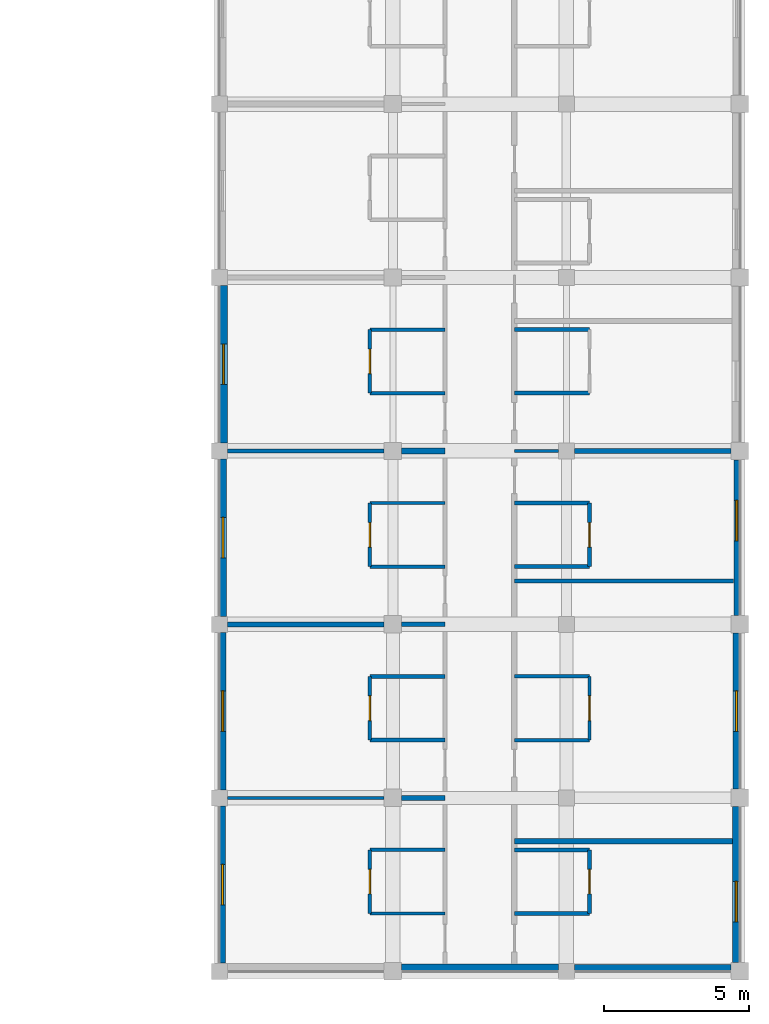
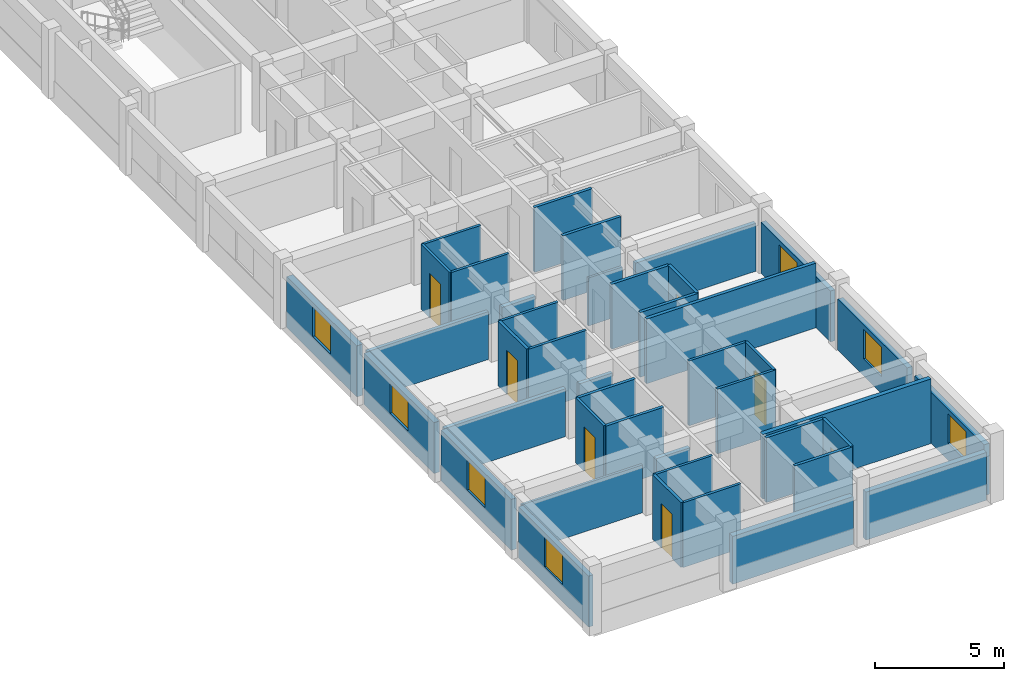
# One storey, part 4 of 21: 42 walls, 7 doors, 7 windows, 14 openings.
"""IFC4 building model written with IfcOpenShell, lengths in metres."""

from ifc_helpers import new_model, si_unit, direction, frame, frame_2d, origin, place, context, subcontext, project, spatial, rectangle, extrude, material, layer, layer_set, type_object, element, fill, save


model = new_model("IFC4")

# Units and contexts
model_context = context("Model", 3, precision=1e-05, world=origin(), true_north=direction((0.0, 1.0)))
body_context = subcontext(model_context, "Body", "Model", "MODEL_VIEW")
ifc_project = project(units=[si_unit("LENGTHUNIT", "METRE"), si_unit("AREAUNIT", "SQUARE_METRE"), si_unit("VOLUMEUNIT", "CUBIC_METRE"), si_unit("PLANEANGLEUNIT", "RADIAN"), si_unit("MASSUNIT", "GRAM", prefix="KILO"), si_unit("THERMODYNAMICTEMPERATUREUNIT", "KELVIN"), si_unit("POWERUNIT", "WATT")], contexts=[model_context])

# Site, building, storey
site_placement = place(None, origin())
site = spatial("IfcSite", under=ifc_project, at=site_placement, CompositionType="ELEMENT")
building_placement = place(site_placement, origin())
building = spatial("IfcBuilding", under=site, at=building_placement, Name="Phaisarnlok Congress Hotel", CompositionType="ELEMENT")
storey_placement = place(building_placement, frame((0.0, 0.0, 31.5)))
storey = spatial("IfcBuildingStorey", under=building, at=storey_placement, Name="L07", CompositionType="ELEMENT", Elevation=31.5)

# Wall, opening, window
ifc_material_1 = material(Name="Concrete C40/50", Category="concrete")
ifc_layer_1 = layer(ifc_material_1, 0.2099609375, Name="Concrete C40/50")
ifc_layer_set_1 = layer_set([ifc_layer_1], Name="Concrete C40/50")
wall_type_1 = type_object("IfcWallType", Name="WL-EXT-210", PredefinedType="SOLIDWALL", material=ifc_layer_set_1)
wall_1_placement = place(storey_placement, frame((179.89501953125, 54.304931640625, 0.0), z_axis=(0.0, 0.0, 1.0), x_axis=(0.0, 1.0, 0.0)))
wall_1 = element("IfcWall", 1, at=wall_1_placement, inside=storey, type_object=wall_type_1, Name="Exterior wall EW-07 (L07)", PredefinedType="SOLIDWALL", context=body_context, shape_type="SweptSolid", body=[
    extrude(rectangle(XDim=5.39013671875, YDim=0.2099609375, at=frame_2d((2.695068359375, 0.0))), origin(), (0.0, 0.0, 1.0), 2.419921875),
])
opening_1_placement = place(wall_1_placement, frame((2.5830078125, 0.0, 0.800048828125)))
opening_1 = element("IfcOpeningElement", 2, at=opening_1_placement, cuts=wall_1, Name="Opening W-13", PredefinedType="OPENING", context=body_context, shape_type="SweptSolid", body=[
    extrude(rectangle(XDim=1.39990234375, YDim=1.39990234375, at=frame_2d((0.699951171875, 0.699951171875))), frame((0.0, 0.114990234375, 0.0), z_axis=(0.0, -1.0, 0.0), x_axis=(1.0, 0.0, 0.0)), (0.0, 0.0, 1.0), 0.22998046875),
])
ifc_material_2 = material(Name="Thermally Broken Aluminium & Low-E Double Glazing", Category="aluminium")
window_type = type_object("IfcWindowType", Name="WIN-POD-1400", PartitioningType="SINGLE_PANEL", PredefinedType="WINDOW", material=ifc_material_2)
window_1_placement = place(opening_1_placement, origin())
window_1 = element("IfcWindow", 3, at=window_1_placement, inside=storey, type_object=window_type, Name="Guestroom window W-13 (L07)", OverallHeight=1.39990234375, OverallWidth=1.39990234375, PartitioningType="SINGLE_PANEL", PredefinedType="WINDOW", context=body_context, shape_type="SweptSolid", body=[
    extrude(rectangle(XDim=1.39990234375, YDim=1.39990234375, at=frame_2d((0.699951171875, 0.699951171875))), frame((0.0, 0.030029296875, 0.0), z_axis=(0.0, -1.0, 0.0), x_axis=(1.0, 0.0, 0.0)), (0.0, 0.0, 1.0), 0.06005859375),
])
fill(opening_1, window_1)

wall_2_placement = place(storey_placement, frame((162.10498046875, 47.719970703125, 0.0), z_axis=(0.0, 0.0, 1.0), x_axis=(0.0, -1.0, 0.0)))
wall_2 = element("IfcWall", 4, at=wall_2_placement, inside=storey, type_object=wall_type_1, Name="Exterior wall EW-07 (L07)", PredefinedType="SOLIDWALL", context=body_context, shape_type="SweptSolid", body=[
    extrude(rectangle(XDim=5.43994140625, YDim=0.2099609375, at=frame_2d((2.719970703125, 0.0))), origin(), (0.0, 0.0, 1.0), 2.419921875),
])
opening_2_placement = place(wall_2_placement, frame((2.02001953125, 0.0, 0.800048828125)))
opening_2 = element("IfcOpeningElement", 5, at=opening_2_placement, cuts=wall_2, Name="Opening W-13", PredefinedType="OPENING", context=body_context, shape_type="SweptSolid", body=[
    extrude(rectangle(XDim=1.39990234375, YDim=1.39990234375, at=frame_2d((0.699951171875, 0.699951171875))), frame((0.0, 0.114990234375, 0.0), z_axis=(0.0, -1.0, 0.0), x_axis=(1.0, 0.0, 0.0)), (0.0, 0.0, 1.0), 0.22998046875),
])
window_2_placement = place(opening_2_placement, origin())
window_2 = element("IfcWindow", 6, at=window_2_placement, inside=storey, type_object=window_type, Name="Guestroom window W-13 (L07)", OverallHeight=1.39990234375, OverallWidth=1.39990234375, PartitioningType="SINGLE_PANEL", PredefinedType="WINDOW", context=body_context, shape_type="SweptSolid", body=[
    extrude(rectangle(XDim=1.39990234375, YDim=1.39990234375, at=frame_2d((0.699951171875, 0.699951171875))), frame((0.0, 0.030029296875, 0.0), z_axis=(0.0, -1.0, 0.0), x_axis=(1.0, 0.0, 0.0)), (0.0, 0.0, 1.0), 0.06005859375),
])
fill(opening_2, window_2)

ifc_layer_2 = layer(ifc_material_1, 0.22998046875, Name="Concrete C40/50")
ifc_layer_set_2 = layer_set([ifc_layer_2], Name="Concrete C40/50")
wall_type_2 = type_object("IfcWallType", Name="WL-EXT-230", PredefinedType="SOLIDWALL", material=ifc_layer_set_2)
wall_3_placement = place(storey_placement, frame((179.885009765625, 48.304931640625, 0.0), z_axis=(0.0, 0.0, 1.0), x_axis=(0.0, 1.0, 0.0)))
wall_3 = element("IfcWall", 7, at=wall_3_placement, inside=storey, type_object=wall_type_2, Name="Exterior wall EW-06 (L07)", PredefinedType="SOLIDWALL", context=body_context, shape_type="SweptSolid", body=[
    extrude(rectangle(XDim=5.39013671875, YDim=0.22998046875, at=frame_2d((2.695068359375, 0.0))), origin(), (0.0, 0.0, 1.0), 2.419921875),
])
opening_3_placement = place(wall_3_placement, frame((1.9951171875, 0.0, 0.800048828125)))
opening_3 = element("IfcOpeningElement", 8, at=opening_3_placement, cuts=wall_3, Name="Opening W-13", PredefinedType="OPENING", context=body_context, shape_type="SweptSolid", body=[
    extrude(rectangle(XDim=1.39990234375, YDim=1.39990234375, at=frame_2d((0.699951171875, 0.699951171875))), frame((0.0, 0.125, 0.0), z_axis=(0.0, -1.0, 0.0), x_axis=(1.0, 0.0, 0.0)), (0.0, 0.0, 1.0), 0.25),
])
window_3_placement = place(opening_3_placement, origin())
window_3 = element("IfcWindow", 9, at=window_3_placement, inside=storey, type_object=window_type, Name="Guestroom window W-13 (L07)", OverallHeight=1.39990234375, OverallWidth=1.39990234375, PartitioningType="SINGLE_PANEL", PredefinedType="WINDOW", context=body_context, shape_type="SweptSolid", body=[
    extrude(rectangle(XDim=1.39990234375, YDim=1.39990234375, at=frame_2d((0.699951171875, 0.699951171875))), frame((0.0, 0.030029296875, 0.0), z_axis=(0.0, -1.0, 0.0), x_axis=(1.0, 0.0, 0.0)), (0.0, 0.0, 1.0), 0.06005859375),
])
fill(opening_3, window_3)

wall_4_placement = place(storey_placement, frame((162.114990234375, 53.719970703125, 0.0), z_axis=(0.0, 0.0, 1.0), x_axis=(0.0, -1.0, 0.0)))
wall_4 = element("IfcWall", 10, at=wall_4_placement, inside=storey, type_object=wall_type_2, Name="Exterior wall EW-06 (L07)", PredefinedType="SOLIDWALL", context=body_context, shape_type="SweptSolid", body=[
    extrude(rectangle(XDim=5.43994140625, YDim=0.22998046875, at=frame_2d((2.719970703125, 0.0))), origin(), (0.0, 0.0, 1.0), 2.419921875),
])
opening_4_placement = place(wall_4_placement, frame((2.02001953125, 0.0, 0.800048828125)))
opening_4 = element("IfcOpeningElement", 11, at=opening_4_placement, cuts=wall_4, Name="Opening W-13", PredefinedType="OPENING", context=body_context, shape_type="SweptSolid", body=[
    extrude(rectangle(XDim=1.39990234375, YDim=1.39990234375, at=frame_2d((0.699951171875, 0.699951171875))), frame((0.0, 0.125, 0.0), z_axis=(0.0, -1.0, 0.0), x_axis=(1.0, 0.0, 0.0)), (0.0, 0.0, 1.0), 0.25),
])
window_4_placement = place(opening_4_placement, origin())
window_4 = element("IfcWindow", 12, at=window_4_placement, inside=storey, type_object=window_type, Name="Guestroom window W-13 (L07)", OverallHeight=1.39990234375, OverallWidth=1.39990234375, PartitioningType="SINGLE_PANEL", PredefinedType="WINDOW", context=body_context, shape_type="SweptSolid", body=[
    extrude(rectangle(XDim=1.39990234375, YDim=1.39990234375, at=frame_2d((0.699951171875, 0.699951171875))), frame((0.0, 0.030029296875, 0.0), z_axis=(0.0, -1.0, 0.0), x_axis=(1.0, 0.0, 0.0)), (0.0, 0.0, 1.0), 0.06005859375),
])
fill(opening_4, window_4)

# Wall
wall_5_placement = place(storey_placement, frame((174.280029296875, 42.114990234375, 0.0), z_axis=(0.0, 0.0, 1.0), x_axis=(1.0, 0.0, 0.0)))
element("IfcWall", 13, at=wall_5_placement, inside=storey, type_object=wall_type_2, Name="Exterior wall EW-06 (L07)", PredefinedType="SOLIDWALL", context=body_context, shape_type="SweptSolid", body=[
    extrude(rectangle(XDim=5.4150390625, YDim=0.22998046875, at=frame_2d((2.70751953125, 0.0))), origin(), (0.0, 0.0, 1.0), 2.27001953125),
])

# Wall, opening, window
ifc_layer_3 = layer(ifc_material_1, 0.25, Name="Concrete C40/50")
ifc_layer_set_3 = layer_set([ifc_layer_3], Name="Concrete C40/50")
wall_type_3 = type_object("IfcWallType", Name="WL-EXT-250", PredefinedType="SOLIDWALL", material=ifc_layer_set_3)
wall_6_placement = place(storey_placement, frame((179.875, 42.304931640625, 0.0), z_axis=(0.0, 0.0, 1.0), x_axis=(0.0, 1.0, 0.0)))
wall_6 = element("IfcWall", 14, at=wall_6_placement, inside=storey, type_object=wall_type_3, Name="Exterior wall EW-05 (L07)", PredefinedType="SOLIDWALL", context=body_context, shape_type="SweptSolid", body=[
    extrude(rectangle(XDim=5.39013671875, YDim=0.25, at=frame_2d((2.695068359375, 0.0))), origin(), (0.0, 0.0, 1.0), 2.419921875),
])
opening_5_placement = place(wall_6_placement, frame((1.406982421875, 0.0, 0.800048828125)))
opening_5 = element("IfcOpeningElement", 15, at=opening_5_placement, cuts=wall_6, Name="Opening W-13", PredefinedType="OPENING", context=body_context, shape_type="SweptSolid", body=[
    extrude(rectangle(XDim=1.39990234375, YDim=1.39990234375, at=frame_2d((0.699951171875, 0.699951171875))), frame((0.0, 0.135009765625, 0.0), z_axis=(0.0, -1.0, 0.0), x_axis=(1.0, 0.0, 0.0)), (0.0, 0.0, 1.0), 0.27001953125),
])
window_5_placement = place(opening_5_placement, origin())
window_5 = element("IfcWindow", 16, at=window_5_placement, inside=storey, type_object=window_type, Name="Guestroom window W-13 (L07)", OverallHeight=1.39990234375, OverallWidth=1.39990234375, PartitioningType="SINGLE_PANEL", PredefinedType="WINDOW", context=body_context, shape_type="SweptSolid", body=[
    extrude(rectangle(XDim=1.39990234375, YDim=1.39990234375, at=frame_2d((0.699951171875, 0.699951171875))), frame((0.0, 0.030029296875, 0.0), z_axis=(0.0, -1.0, 0.0), x_axis=(1.0, 0.0, 0.0)), (0.0, 0.0, 1.0), 0.06005859375),
])
fill(opening_5, window_5)

wall_7_placement = place(storey_placement, frame((162.125, 59.719970703125, 0.0), z_axis=(0.0, 0.0, 1.0), x_axis=(0.0, -1.0, 0.0)))
wall_7 = element("IfcWall", 17, at=wall_7_placement, inside=storey, type_object=wall_type_3, Name="Exterior wall EW-05 (L07)", PredefinedType="SOLIDWALL", context=body_context, shape_type="SweptSolid", body=[
    extrude(rectangle(XDim=5.43994140625, YDim=0.25, at=frame_2d((2.719970703125, 0.0))), origin(), (0.0, 0.0, 1.0), 2.419921875),
])
opening_6_placement = place(wall_7_placement, frame((2.02001953125, 0.0, 0.800048828125)))
opening_6 = element("IfcOpeningElement", 18, at=opening_6_placement, cuts=wall_7, Name="Opening W-13", PredefinedType="OPENING", context=body_context, shape_type="SweptSolid", body=[
    extrude(rectangle(XDim=1.39990234375, YDim=1.39990234375, at=frame_2d((0.699951171875, 0.699951171875))), frame((0.0, 0.135009765625, 0.0), z_axis=(0.0, -1.0, 0.0), x_axis=(1.0, 0.0, 0.0)), (0.0, 0.0, 1.0), 0.27001953125),
])
window_6_placement = place(opening_6_placement, origin())
window_6 = element("IfcWindow", 19, at=window_6_placement, inside=storey, type_object=window_type, Name="Guestroom window W-13 (L07)", OverallHeight=1.39990234375, OverallWidth=1.39990234375, PartitioningType="SINGLE_PANEL", PredefinedType="WINDOW", context=body_context, shape_type="SweptSolid", body=[
    extrude(rectangle(XDim=1.39990234375, YDim=1.39990234375, at=frame_2d((0.699951171875, 0.699951171875))), frame((0.0, 0.030029296875, 0.0), z_axis=(0.0, -1.0, 0.0), x_axis=(1.0, 0.0, 0.0)), (0.0, 0.0, 1.0), 0.06005859375),
])
fill(opening_6, window_6)

# Wall
wall_8_placement = place(storey_placement, frame((168.304931640625, 42.125, 0.0), z_axis=(0.0, 0.0, 1.0), x_axis=(1.0, 0.0, 0.0)))
element("IfcWall", 20, at=wall_8_placement, inside=storey, type_object=wall_type_3, Name="Exterior wall EW-05 (L07)", PredefinedType="SOLIDWALL", context=body_context, shape_type="SweptSolid", body=[
    extrude(rectangle(XDim=5.4150390625, YDim=0.25, at=frame_2d((2.70751953125, 0.0))), origin(), (0.0, 0.0, 1.0), 2.27001953125),
])

# Wall, opening, window
ifc_layer_4 = layer(ifc_material_1, 0.27001953125, Name="Concrete C40/50")
ifc_layer_set_4 = layer_set([ifc_layer_4], Name="Concrete C40/50")
wall_type_4 = type_object("IfcWallType", Name="WL-EXT-270", PredefinedType="SOLIDWALL", material=ifc_layer_set_4)
wall_9_placement = place(storey_placement, frame((162.135009765625, 65.719970703125, 0.0), z_axis=(0.0, 0.0, 1.0), x_axis=(0.0, -1.0, 0.0)))
wall_9 = element("IfcWall", 21, at=wall_9_placement, inside=storey, type_object=wall_type_4, Name="Exterior wall EW-04 (L07)", PredefinedType="SOLIDWALL", context=body_context, shape_type="SweptSolid", body=[
    extrude(rectangle(XDim=5.43994140625, YDim=0.27001953125, at=frame_2d((2.719970703125, 0.0))), origin(), (0.0, 0.0, 1.0), 2.419921875),
])
opening_7_placement = place(wall_9_placement, frame((2.02001953125, 0.0, 0.800048828125)))
opening_7 = element("IfcOpeningElement", 22, at=opening_7_placement, cuts=wall_9, Name="Opening W-13", PredefinedType="OPENING", context=body_context, shape_type="SweptSolid", body=[
    extrude(rectangle(XDim=1.39990234375, YDim=1.39990234375, at=frame_2d((0.699951171875, 0.699951171875))), frame((0.0, 0.14501953125, 0.0), z_axis=(0.0, -1.0, 0.0), x_axis=(1.0, 0.0, 0.0)), (0.0, 0.0, 1.0), 0.2900390625),
])
window_7_placement = place(opening_7_placement, origin())
window_7 = element("IfcWindow", 23, at=window_7_placement, inside=storey, type_object=window_type, Name="Guestroom window W-13 (L07)", OverallHeight=1.39990234375, OverallWidth=1.39990234375, PartitioningType="SINGLE_PANEL", PredefinedType="WINDOW", context=body_context, shape_type="SweptSolid", body=[
    extrude(rectangle(XDim=1.39990234375, YDim=1.39990234375, at=frame_2d((0.699951171875, 0.699951171875))), frame((0.0, 0.030029296875, 0.0), z_axis=(0.0, -1.0, 0.0), x_axis=(1.0, 0.0, 0.0)), (0.0, 0.0, 1.0), 0.06005859375),
])
fill(opening_7, window_7)

# Walls
ifc_material_3 = material(Name="Service Riser Shaftwall Partition", Category="gypsum")
ifc_layer_5 = layer(ifc_material_3, 0.10498046875, Name="Service Riser Shaftwall Partition")
ifc_layer_set_5 = layer_set([ifc_layer_5], Name="Service Riser Shaftwall Partition")
wall_type_5 = type_object("IfcWallType", Name="WL-INT-105", PredefinedType="PARTITIONING", material=ifc_layer_set_5)
wall_10_placement = place(storey_placement, frame((162.280029296875, 48.0, 0.0), z_axis=(0.0, 0.0, 1.0), x_axis=(1.0, 0.0, 0.0)))
element("IfcWall", 24, at=wall_10_placement, inside=storey, type_object=wall_type_5, Name="Interior partition wall IW-08 (L07)", PredefinedType="PARTITIONING", context=body_context, shape_type="SweptSolid", body=[
    extrude(rectangle(XDim=5.4150390625, YDim=0.10498046875, at=frame_2d((2.70751953125, 0.0))), origin(), (0.0, 0.0, 1.0), 2.27001953125),
])
wall_11_placement = place(storey_placement, frame((172.199951171875, 60.0, 0.0), z_axis=(0.0, 0.0, 1.0), x_axis=(1.0, 0.0, 0.0)))
element("IfcWall", 25, at=wall_11_placement, inside=storey, type_object=wall_type_5, Name="Interior partition wall IW-08 (L07)", PredefinedType="PARTITIONING", context=body_context, shape_type="SweptSolid", body=[
    extrude(rectangle(XDim=1.52001953125, YDim=0.10498046875, at=frame_2d((0.760009765625, 0.0))), origin(), (0.0, 0.0, 1.0), 2.27001953125),
])

# Wall, opening, door
ifc_material_4 = material(Name="Lightweight Metal-Stud Gypsum Partition", Category="gypsum")
ifc_layer_6 = layer(ifc_material_4, 0.1201171875, Name="Lightweight Metal-Stud Gypsum Partition")
ifc_layer_set_6 = layer_set([ifc_layer_6], Name="Lightweight Metal-Stud Gypsum Partition")
wall_type_6 = type_object("IfcWallType", Name="WL-INT-120", PredefinedType="PARTITIONING", material=ifc_layer_set_6)
wall_12_placement = place(storey_placement, frame((167.199951171875, 50.0, 0.0), z_axis=(0.0, 0.0, 1.0), x_axis=(0.0, 1.0, 0.0)))
wall_12 = element("IfcWall", 26, at=wall_12_placement, inside=storey, type_object=wall_type_6, Name="Interior partition wall IW-07 (L07)", PredefinedType="PARTITIONING", context=body_context, shape_type="SweptSolid", body=[
    extrude(rectangle(XDim=2.199951171875, YDim=0.1201171875, at=frame_2d((1.10009765625, 0.0))), origin(), (0.0, 0.0, 1.0), 3.070068359375),
])
opening_8_placement = place(wall_12_placement, frame((0.675048828125, 0.0, 0.0)))
opening_8 = element("IfcOpeningElement", 27, at=opening_8_placement, cuts=wall_12, Name="Opening D-0384", PredefinedType="OPENING", context=body_context, shape_type="SweptSolid", body=[
    extrude(rectangle(XDim=0.85009765625, YDim=2.10009765625, at=frame_2d((0.425048828125, 1.050048828125))), frame((0.0, 0.070068359375, 0.0), z_axis=(0.0, -1.0, 0.0), x_axis=(1.0, 0.0, 0.0)), (0.0, 0.0, 1.0), 0.14013671875),
])
ifc_material_5 = material(Name="Moisture-Resistant Lacquered Timber", Category="wood")
door_type = type_object("IfcDoorType", Name="DR-BATH-850", OperationType="NOTDEFINED", PredefinedType="DOOR", material=ifc_material_5)
door_1_placement = place(opening_8_placement, origin())
door_1 = element("IfcDoor", 28, at=door_1_placement, inside=storey, type_object=door_type, Name="Interior door D-0384 (L07)", OperationType="SINGLE_SWING_RIGHT", OverallHeight=2.10009765625, OverallWidth=0.85009765625, PredefinedType="DOOR", context=body_context, shape_type="SweptSolid", body=[
    extrude(rectangle(XDim=0.85009765625, YDim=2.10009765625, at=frame_2d((0.425048828125, 1.050048828125))), frame((0.0, 0.02490234375, 0.0), z_axis=(0.0, -1.0, 0.0), x_axis=(1.0, 0.0, 0.0)), (0.0, 0.0, 1.0), 0.050048828125),
])
fill(opening_8, door_1)

wall_13_placement = place(storey_placement, frame((167.199951171875, 62.0, 0.0), z_axis=(0.0, 0.0, 1.0), x_axis=(0.0, 1.0, 0.0)))
wall_13 = element("IfcWall", 29, at=wall_13_placement, inside=storey, type_object=wall_type_6, Name="Interior partition wall IW-07 (L07)", PredefinedType="PARTITIONING", context=body_context, shape_type="SweptSolid", body=[
    extrude(rectangle(XDim=2.199951171875, YDim=0.1201171875, at=frame_2d((1.10009765625, 0.0))), origin(), (0.0, 0.0, 1.0), 3.070068359375),
])
opening_9_placement = place(wall_13_placement, frame((0.675048828125, 0.0, 0.0)))
opening_9 = element("IfcOpeningElement", 30, at=opening_9_placement, cuts=wall_13, Name="Opening D-0388", PredefinedType="OPENING", context=body_context, shape_type="SweptSolid", body=[
    extrude(rectangle(XDim=0.85009765625, YDim=2.10009765625, at=frame_2d((0.425048828125, 1.050048828125))), frame((0.0, 0.070068359375, 0.0), z_axis=(0.0, -1.0, 0.0), x_axis=(1.0, 0.0, 0.0)), (0.0, 0.0, 1.0), 0.14013671875),
])
door_2_placement = place(opening_9_placement, origin())
door_2 = element("IfcDoor", 31, at=door_2_placement, inside=storey, type_object=door_type, Name="Interior door D-0388 (L07)", OperationType="SINGLE_SWING_RIGHT", OverallHeight=2.10009765625, OverallWidth=0.85009765625, PredefinedType="DOOR", context=body_context, shape_type="SweptSolid", body=[
    extrude(rectangle(XDim=0.85009765625, YDim=2.10009765625, at=frame_2d((0.425048828125, 1.050048828125))), frame((0.0, 0.02490234375, 0.0), z_axis=(0.0, -1.0, 0.0), x_axis=(1.0, 0.0, 0.0)), (0.0, 0.0, 1.0), 0.050048828125),
])
fill(opening_9, door_2)

wall_14_placement = place(storey_placement, frame((174.800048828125, 50.0, 0.0), z_axis=(0.0, 0.0, 1.0), x_axis=(0.0, 1.0, 0.0)))
wall_14 = element("IfcWall", 32, at=wall_14_placement, inside=storey, type_object=wall_type_6, Name="Interior partition wall IW-07 (L07)", PredefinedType="PARTITIONING", context=body_context, shape_type="SweptSolid", body=[
    extrude(rectangle(XDim=2.199951171875, YDim=0.1201171875, at=frame_2d((1.10009765625, 0.0))), origin(), (0.0, 0.0, 1.0), 3.070068359375),
])
opening_10_placement = place(wall_14_placement, frame((0.675048828125, 0.0, 0.0)))
opening_10 = element("IfcOpeningElement", 33, at=opening_10_placement, cuts=wall_14, Name="Opening D-0361", PredefinedType="OPENING", context=body_context, shape_type="SweptSolid", body=[
    extrude(rectangle(XDim=0.85009765625, YDim=2.10009765625, at=frame_2d((0.425048828125, 1.050048828125))), frame((0.0, 0.070068359375, 0.0), z_axis=(0.0, -1.0, 0.0), x_axis=(1.0, 0.0, 0.0)), (0.0, 0.0, 1.0), 0.14013671875),
])
door_3_placement = place(opening_10_placement, origin())
door_3 = element("IfcDoor", 34, at=door_3_placement, inside=storey, type_object=door_type, Name="Interior door D-0361 (L07)", OperationType="SINGLE_SWING_LEFT", OverallHeight=2.10009765625, OverallWidth=0.85009765625, PredefinedType="DOOR", context=body_context, shape_type="SweptSolid", body=[
    extrude(rectangle(XDim=0.85009765625, YDim=2.10009765625, at=frame_2d((0.425048828125, 1.050048828125))), frame((0.0, 0.02490234375, 0.0), z_axis=(0.0, -1.0, 0.0), x_axis=(1.0, 0.0, 0.0)), (0.0, 0.0, 1.0), 0.050048828125),
])
fill(opening_10, door_3)

# Walls
for number, where, z_axis, x_axis, name in (
    (35, (167.199951171875, 44.0, 0.0), (0.0, 0.0, 1.0), (1.0, 0.0, 0.0), "Interior partition wall IW-07 (L07)"),
    (36, (167.199951171875, 46.199951171875, 0.0), (0.0, 0.0, 1.0), (1.0, 0.0, 0.0), "Interior partition wall IW-07 (L07)"),
    (37, (172.199951171875, 50.0, 0.0), (0.0, 0.0, 1.0), (1.0, 0.0, 0.0), "Interior partition wall IW-07 (L07)"),
    (38, (172.199951171875, 52.199951171875, 0.0), (0.0, 0.0, 1.0), (1.0, 0.0, 0.0), "Interior partition wall IW-07 (L07)"),
    (39, (167.199951171875, 56.0, 0.0), (0.0, 0.0, 1.0), (1.0, 0.0, 0.0), "Interior partition wall IW-07 (L07)"),
    (40, (167.199951171875, 58.199951171875, 0.0), (0.0, 0.0, 1.0), (1.0, 0.0, 0.0), "Interior partition wall IW-07 (L07)"),
    (41, (167.199951171875, 62.0, 0.0), (0.0, 0.0, 1.0), (1.0, 0.0, 0.0), "Interior partition wall IW-07 (L07)"),
    (42, (167.199951171875, 64.199951171875, 0.0), (0.0, 0.0, 1.0), (1.0, 0.0, 0.0), "Interior partition wall IW-07 (L07)"),
):
    element("IfcWall", number, at=place(storey_placement, frame(where, z_axis=z_axis, x_axis=x_axis)), inside=storey, type_object=wall_type_6, Name=name, PredefinedType="PARTITIONING", context=body_context, shape_type="SweptSolid", body=[
        extrude(rectangle(XDim=2.60009765625, YDim=0.1201171875, at=frame_2d((1.300048828125, 0.0))), origin(), (0.0, 0.0, 1.0), 3.070068359375),
    ])

# Wall, opening, door
ifc_material_6 = material(Name="Moisture-Resistant Gypsum Partition", Category="gypsum")
ifc_layer_7 = layer(ifc_material_6, 0.135009765625, Name="Moisture-Resistant Gypsum Partition")
ifc_layer_set_7 = layer_set([ifc_layer_7], Name="Moisture-Resistant Gypsum Partition")
wall_type_7 = type_object("IfcWallType", Name="WL-INT-135", PredefinedType="PARTITIONING", material=ifc_layer_set_7)
wall_15_placement = place(storey_placement, frame((167.199951171875, 44.0, 0.0), z_axis=(0.0, 0.0, 1.0), x_axis=(0.0, 1.0, 0.0)))
wall_15 = element("IfcWall", 43, at=wall_15_placement, inside=storey, type_object=wall_type_7, Name="Interior partition wall IW-06 (L07)", PredefinedType="PARTITIONING", context=body_context, shape_type="SweptSolid", body=[
    extrude(rectangle(XDim=2.199951171875, YDim=0.135009765625, at=frame_2d((1.10009765625, 0.0))), origin(), (0.0, 0.0, 1.0), 3.070068359375),
])
opening_11_placement = place(wall_15_placement, frame((0.675048828125, 0.0, 0.0)))
opening_11 = element("IfcOpeningElement", 44, at=opening_11_placement, cuts=wall_15, Name="Opening D-0382", PredefinedType="OPENING", context=body_context, shape_type="SweptSolid", body=[
    extrude(rectangle(XDim=0.85009765625, YDim=2.10009765625, at=frame_2d((0.425048828125, 1.050048828125))), frame((0.0, 0.07763671875, 0.0), z_axis=(0.0, -1.0, 0.0), x_axis=(1.0, 0.0, 0.0)), (0.0, 0.0, 1.0), 0.155029296875),
])
door_4_placement = place(opening_11_placement, origin())
door_4 = element("IfcDoor", 45, at=door_4_placement, inside=storey, type_object=door_type, Name="Interior door D-0382 (L07)", OperationType="SINGLE_SWING_RIGHT", OverallHeight=2.10009765625, OverallWidth=0.85009765625, PredefinedType="DOOR", context=body_context, shape_type="SweptSolid", body=[
    extrude(rectangle(XDim=0.85009765625, YDim=2.10009765625, at=frame_2d((0.425048828125, 1.050048828125))), frame((0.0, 0.02490234375, 0.0), z_axis=(0.0, -1.0, 0.0), x_axis=(1.0, 0.0, 0.0)), (0.0, 0.0, 1.0), 0.050048828125),
])
fill(opening_11, door_4)

wall_16_placement = place(storey_placement, frame((167.199951171875, 56.0, 0.0), z_axis=(0.0, 0.0, 1.0), x_axis=(0.0, 1.0, 0.0)))
wall_16 = element("IfcWall", 46, at=wall_16_placement, inside=storey, type_object=wall_type_7, Name="Interior partition wall IW-06 (L07)", PredefinedType="PARTITIONING", context=body_context, shape_type="SweptSolid", body=[
    extrude(rectangle(XDim=2.199951171875, YDim=0.135009765625, at=frame_2d((1.10009765625, 0.0))), origin(), (0.0, 0.0, 1.0), 3.070068359375),
])
opening_12_placement = place(wall_16_placement, frame((0.675048828125, 0.0, 0.0)))
opening_12 = element("IfcOpeningElement", 47, at=opening_12_placement, cuts=wall_16, Name="Opening D-0386", PredefinedType="OPENING", context=body_context, shape_type="SweptSolid", body=[
    extrude(rectangle(XDim=0.85009765625, YDim=2.10009765625, at=frame_2d((0.425048828125, 1.050048828125))), frame((0.0, 0.07763671875, 0.0), z_axis=(0.0, -1.0, 0.0), x_axis=(1.0, 0.0, 0.0)), (0.0, 0.0, 1.0), 0.155029296875),
])
door_5_placement = place(opening_12_placement, origin())
door_5 = element("IfcDoor", 48, at=door_5_placement, inside=storey, type_object=door_type, Name="Interior door D-0386 (L07)", OperationType="SINGLE_SWING_RIGHT", OverallHeight=2.10009765625, OverallWidth=0.85009765625, PredefinedType="DOOR", context=body_context, shape_type="SweptSolid", body=[
    extrude(rectangle(XDim=0.85009765625, YDim=2.10009765625, at=frame_2d((0.425048828125, 1.050048828125))), frame((0.0, 0.02490234375, 0.0), z_axis=(0.0, -1.0, 0.0), x_axis=(1.0, 0.0, 0.0)), (0.0, 0.0, 1.0), 0.050048828125),
])
fill(opening_12, door_5)

wall_17_placement = place(storey_placement, frame((174.800048828125, 44.0, 0.0), z_axis=(0.0, 0.0, 1.0), x_axis=(0.0, 1.0, 0.0)))
wall_17 = element("IfcWall", 49, at=wall_17_placement, inside=storey, type_object=wall_type_7, Name="Interior partition wall IW-06 (L07)", PredefinedType="PARTITIONING", context=body_context, shape_type="SweptSolid", body=[
    extrude(rectangle(XDim=2.199951171875, YDim=0.135009765625, at=frame_2d((1.10009765625, 0.0))), origin(), (0.0, 0.0, 1.0), 3.070068359375),
])
opening_13_placement = place(wall_17_placement, frame((0.675048828125, 0.0, 0.0)))
opening_13 = element("IfcOpeningElement", 50, at=opening_13_placement, cuts=wall_17, Name="Opening D-0359", PredefinedType="OPENING", context=body_context, shape_type="SweptSolid", body=[
    extrude(rectangle(XDim=0.85009765625, YDim=2.10009765625, at=frame_2d((0.425048828125, 1.050048828125))), frame((0.0, 0.07763671875, 0.0), z_axis=(0.0, -1.0, 0.0), x_axis=(1.0, 0.0, 0.0)), (0.0, 0.0, 1.0), 0.155029296875),
])
door_6_placement = place(opening_13_placement, origin())
door_6 = element("IfcDoor", 51, at=door_6_placement, inside=storey, type_object=door_type, Name="Interior door D-0359 (L07)", OperationType="SINGLE_SWING_LEFT", OverallHeight=2.10009765625, OverallWidth=0.85009765625, PredefinedType="DOOR", context=body_context, shape_type="SweptSolid", body=[
    extrude(rectangle(XDim=0.85009765625, YDim=2.10009765625, at=frame_2d((0.425048828125, 1.050048828125))), frame((0.0, 0.02490234375, 0.0), z_axis=(0.0, -1.0, 0.0), x_axis=(1.0, 0.0, 0.0)), (0.0, 0.0, 1.0), 0.050048828125),
])
fill(opening_13, door_6)

wall_18_placement = place(storey_placement, frame((174.800048828125, 56.0, 0.0), z_axis=(0.0, 0.0, 1.0), x_axis=(0.0, 1.0, 0.0)))
wall_18 = element("IfcWall", 52, at=wall_18_placement, inside=storey, type_object=wall_type_7, Name="Interior partition wall IW-06 (L07)", PredefinedType="PARTITIONING", context=body_context, shape_type="SweptSolid", body=[
    extrude(rectangle(XDim=2.199951171875, YDim=0.135009765625, at=frame_2d((1.10009765625, 0.0))), origin(), (0.0, 0.0, 1.0), 3.070068359375),
])
opening_14_placement = place(wall_18_placement, frame((0.675048828125, 0.0, 0.0)))
opening_14 = element("IfcOpeningElement", 53, at=opening_14_placement, cuts=wall_18, Name="Opening D-0363", PredefinedType="OPENING", context=body_context, shape_type="SweptSolid", body=[
    extrude(rectangle(XDim=0.85009765625, YDim=2.10009765625, at=frame_2d((0.425048828125, 1.050048828125))), frame((0.0, 0.07763671875, 0.0), z_axis=(0.0, -1.0, 0.0), x_axis=(1.0, 0.0, 0.0)), (0.0, 0.0, 1.0), 0.155029296875),
])
door_7_placement = place(opening_14_placement, origin())
door_7 = element("IfcDoor", 54, at=door_7_placement, inside=storey, type_object=door_type, Name="Interior door D-0363 (L07)", OperationType="SINGLE_SWING_LEFT", OverallHeight=2.10009765625, OverallWidth=0.85009765625, PredefinedType="DOOR", context=body_context, shape_type="SweptSolid", body=[
    extrude(rectangle(XDim=0.85009765625, YDim=2.10009765625, at=frame_2d((0.425048828125, 1.050048828125))), frame((0.0, 0.02490234375, 0.0), z_axis=(0.0, -1.0, 0.0), x_axis=(1.0, 0.0, 0.0)), (0.0, 0.0, 1.0), 0.050048828125),
])
fill(opening_14, door_7)

# Walls
for number, where, z_axis, x_axis, name in (
    (55, (172.199951171875, 44.0, 0.0), (0.0, 0.0, 1.0), (1.0, 0.0, 0.0), "Interior partition wall IW-06 (L07)"),
    (56, (172.199951171875, 46.199951171875, 0.0), (0.0, 0.0, 1.0), (1.0, 0.0, 0.0), "Interior partition wall IW-06 (L07)"),
    (57, (167.199951171875, 50.0, 0.0), (0.0, 0.0, 1.0), (1.0, 0.0, 0.0), "Interior partition wall IW-06 (L07)"),
    (58, (167.199951171875, 52.199951171875, 0.0), (0.0, 0.0, 1.0), (1.0, 0.0, 0.0), "Interior partition wall IW-06 (L07)"),
    (59, (172.199951171875, 56.0, 0.0), (0.0, 0.0, 1.0), (1.0, 0.0, 0.0), "Interior partition wall IW-06 (L07)"),
    (60, (172.199951171875, 58.199951171875, 0.0), (0.0, 0.0, 1.0), (1.0, 0.0, 0.0), "Interior partition wall IW-06 (L07)"),
    (61, (172.199951171875, 62.0, 0.0), (0.0, 0.0, 1.0), (1.0, 0.0, 0.0), "Interior partition wall IW-06 (L07)"),
    (62, (172.199951171875, 64.199951171875, 0.0), (0.0, 0.0, 1.0), (1.0, 0.0, 0.0), "Interior partition wall IW-06 (L07)"),
):
    element("IfcWall", number, at=place(storey_placement, frame(where, z_axis=z_axis, x_axis=x_axis)), inside=storey, type_object=wall_type_7, Name=name, PredefinedType="PARTITIONING", context=body_context, shape_type="SweptSolid", body=[
        extrude(rectangle(XDim=2.60009765625, YDim=0.135009765625, at=frame_2d((1.300048828125, 0.0))), origin(), (0.0, 0.0, 1.0), 3.070068359375),
    ])
ifc_material_7 = material(Name="Acoustic Gypsum Board & Mineral Wool", Category="gypsum")
ifc_layer_8 = layer(ifc_material_7, 0.14990234375, Name="Acoustic Gypsum Board & Mineral Wool")
ifc_layer_set_8 = layer_set([ifc_layer_8], Name="Acoustic Gypsum Board & Mineral Wool")
wall_type_8 = type_object("IfcWallType", Name="WL-INT-150", PredefinedType="PARTITIONING", material=ifc_layer_set_8)
wall_19_placement = place(storey_placement, frame((172.199951171875, 55.5, 0.0), z_axis=(0.0, 0.0, 1.0), x_axis=(1.0, 0.0, 0.0)))
element("IfcWall", 63, at=wall_19_placement, inside=storey, type_object=wall_type_8, Name="Interior partition wall IW-05 (L07)", PredefinedType="PARTITIONING", context=body_context, shape_type="SweptSolid", body=[
    extrude(rectangle(XDim=7.5849609375, YDim=0.14990234375, at=frame_2d((3.79248046875, 0.0))), origin(), (0.0, 0.0, 1.0), 3.070068359375),
])
wall_20_placement = place(storey_placement, frame((162.280029296875, 60.0, 0.0), z_axis=(0.0, 0.0, 1.0), x_axis=(1.0, 0.0, 0.0)))
element("IfcWall", 64, at=wall_20_placement, inside=storey, type_object=wall_type_8, Name="Interior partition wall IW-05 (L07)", PredefinedType="PARTITIONING", context=body_context, shape_type="SweptSolid", body=[
    extrude(rectangle(XDim=5.4150390625, YDim=0.14990234375, at=frame_2d((2.70751953125, 0.0))), origin(), (0.0, 0.0, 1.0), 2.27001953125),
])
ifc_material_8 = material(Name="Double-Stud Acoustic Gypsum Partition", Category="gypsum")
ifc_layer_9 = layer(ifc_material_8, 0.159912109375, Name="Double-Stud Acoustic Gypsum Partition")
ifc_layer_set_9 = layer_set([ifc_layer_9], Name="Double-Stud Acoustic Gypsum Partition")
wall_type_9 = type_object("IfcWallType", Name="WL-INT-160", PredefinedType="PARTITIONING", material=ifc_layer_set_9)
wall_21_placement = place(storey_placement, frame((168.304931640625, 54.0, 0.0), z_axis=(0.0, 0.0, 1.0), x_axis=(1.0, 0.0, 0.0)))
element("IfcWall", 65, at=wall_21_placement, inside=storey, type_object=wall_type_9, Name="Interior partition wall IW-04 (L07)", PredefinedType="PARTITIONING", context=body_context, shape_type="SweptSolid", body=[
    extrude(rectangle(XDim=1.4951171875, YDim=0.159912109375, at=frame_2d((0.74755859375, 0.0))), origin(), (0.0, 0.0, 1.0), 2.27001953125),
])
ifc_material_9 = material(Name="Autoclaved Aerated Concrete Block", Category="concrete")
ifc_layer_10 = layer(ifc_material_9, 0.179931640625, Name="Autoclaved Aerated Concrete Block")
ifc_layer_set_10 = layer_set([ifc_layer_10], Name="Autoclaved Aerated Concrete Block")
wall_type_10 = type_object("IfcWallType", Name="WL-INT-180", PredefinedType="PARTITIONING", material=ifc_layer_set_10)
wall_22_placement = place(storey_placement, frame((168.304931640625, 48.0, 0.0), z_axis=(0.0, 0.0, 1.0), x_axis=(1.0, 0.0, 0.0)))
element("IfcWall", 66, at=wall_22_placement, inside=storey, type_object=wall_type_10, Name="Interior partition wall IW-03 (L07)", PredefinedType="PARTITIONING", context=body_context, shape_type="SweptSolid", body=[
    extrude(rectangle(XDim=1.4951171875, YDim=0.179931640625, at=frame_2d((0.74755859375, 0.0))), origin(), (0.0, 0.0, 1.0), 2.3701171875),
])
for number, where, z_axis, x_axis, name in (
    (67, (162.280029296875, 54.0, 0.0), (0.0, 0.0, 1.0), (1.0, 0.0, 0.0), "Interior partition wall IW-03 (L07)"),
    (68, (174.280029296875, 60.0, 0.0), (0.0, 0.0, 1.0), (1.0, 0.0, 0.0), "Interior partition wall IW-03 (L07)"),
):
    element("IfcWall", number, at=place(storey_placement, frame(where, z_axis=z_axis, x_axis=x_axis)), inside=storey, type_object=wall_type_10, Name=name, PredefinedType="PARTITIONING", context=body_context, shape_type="SweptSolid", body=[
        extrude(rectangle(XDim=5.4150390625, YDim=0.179931640625, at=frame_2d((2.70751953125, 0.0))), origin(), (0.0, 0.0, 1.0), 2.27001953125),
    ])
ifc_layer_11 = layer(ifc_material_9, 0.199951171875, Name="Autoclaved Aerated Concrete Block")
ifc_layer_set_11 = layer_set([ifc_layer_11], Name="Autoclaved Aerated Concrete Block")
wall_type_11 = type_object("IfcWallType", Name="WL-INT-200", PredefinedType="PARTITIONING", material=ifc_layer_set_11)
wall_23_placement = place(storey_placement, frame((172.199951171875, 46.5, 0.0), z_axis=(0.0, 0.0, 1.0), x_axis=(1.0, 0.0, 0.0)))
element("IfcWall", 69, at=wall_23_placement, inside=storey, type_object=wall_type_11, Name="Interior partition wall IW-02 (L07)", PredefinedType="PARTITIONING", context=body_context, shape_type="SweptSolid", body=[
    extrude(rectangle(XDim=7.545166015625, YDim=0.199951171875, at=frame_2d((3.7724609375, 0.0))), origin(), (0.0, 0.0, 1.0), 3.070068359375),
])
wall_24_placement = place(storey_placement, frame((168.304931640625, 60.0, 0.0), z_axis=(0.0, 0.0, 1.0), x_axis=(1.0, 0.0, 0.0)))
element("IfcWall", 70, at=wall_24_placement, inside=storey, type_object=wall_type_11, Name="Interior partition wall IW-02 (L07)", PredefinedType="PARTITIONING", context=body_context, shape_type="SweptSolid", body=[
    extrude(rectangle(XDim=1.4951171875, YDim=0.199951171875, at=frame_2d((0.74755859375, 0.0))), origin(), (0.0, 0.0, 1.0), 2.27001953125),
])

save(model, "model.ifc")
